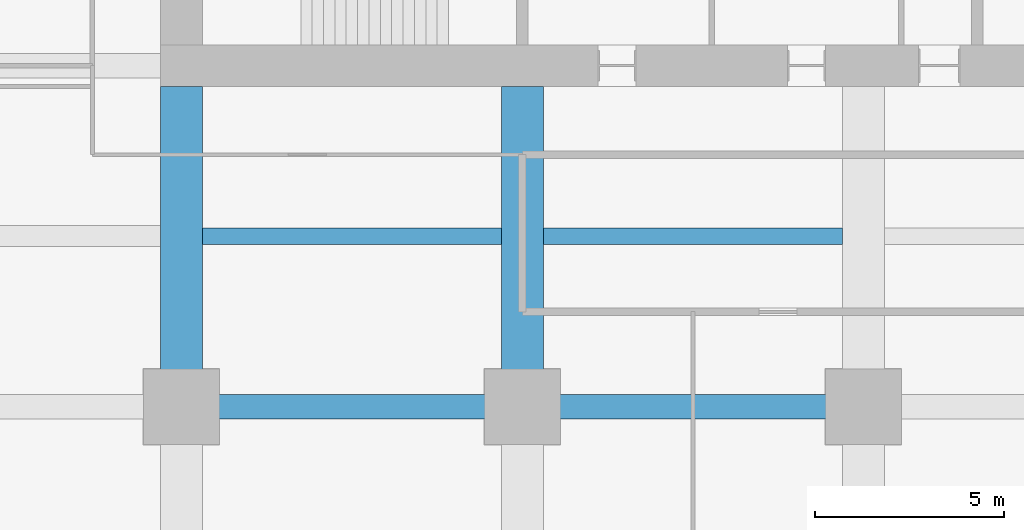
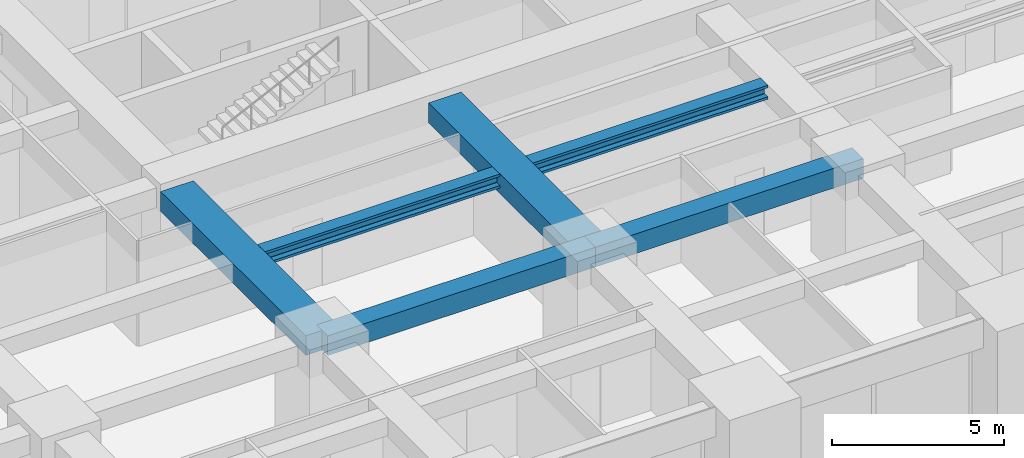
# One storey, part 8 of 41: 6 beams.
"""IFC4 building model written with IfcOpenShell, lengths in metres."""

from ifc_helpers import new_model, si_unit, direction, frame, origin, origin_2d, place, context, subcontext, project, spatial, rectangle, i_section, extrude, material, material_profile, profile_set, type_object, element, save


model = new_model("IFC4")

# Units and contexts
model_context = context("Model", 3, precision=1e-05, world=origin(), true_north=direction((0.0, 1.0)))
body_context = subcontext(model_context, "Body", "Model", "MODEL_VIEW")
ifc_project = project(units=[si_unit("LENGTHUNIT", "METRE"), si_unit("AREAUNIT", "SQUARE_METRE"), si_unit("VOLUMEUNIT", "CUBIC_METRE"), si_unit("PLANEANGLEUNIT", "RADIAN"), si_unit("MASSUNIT", "GRAM", prefix="KILO")], contexts=[model_context])

# Site, building, storey
site_placement = place(None, origin())
site = spatial("IfcSite", under=ifc_project, at=site_placement, CompositionType="ELEMENT")
building_placement = place(site_placement, origin())
building = spatial("IfcBuilding", under=site, at=building_placement, Name="Zorevar Civic Tower", CompositionType="ELEMENT")
storey_placement = place(building_placement, frame((0.0, 0.0, 105.0)))
storey = spatial("IfcBuildingStorey", under=building, at=storey_placement, Name="L25", CompositionType="ELEMENT", Elevation=105.0)

# Beams
ifc_material_1 = material(Name="Concrete C50/60", Category="concrete")
ifc_material_profile_1 = material_profile(ifc_material_1, rectangle(XDim=1.10009765625, YDim=0.699951171875, at=origin_2d()), Name="RC 1100x700")
ifc_profile_set_1 = profile_set([ifc_material_profile_1], Name="Concrete C50/60")
beam_type_1 = type_object("IfcBeamType", Name="Beam RC 1100x700", PredefinedType="BEAM", material=ifc_profile_set_1)
for number, where, z_axis, x_axis, name in (
    (1, (18.0, 9.0, 3.39990234375), (0.0, 1.0, 0.0), (-1.0, 0.0, 0.0), "Girder L26"),
    (2, (27.0, 9.0, 3.39990234375), (0.0, 1.0, 0.0), (-1.0, 0.0, 0.0), "Girder L26"),
):
    element("IfcBeam", number, at=place(storey_placement, frame(where, z_axis=z_axis, x_axis=x_axis)), inside=storey, type_object=beam_type_1, Name=name, PredefinedType="BEAM", context=body_context, shape_type="SweptSolid", body=[
        extrude(rectangle(XDim=1.10009765625, YDim=0.699951171875, at=origin_2d()), origin(), (0.0, 0.0, 1.0), 8.449951171875),
    ])
ifc_material_2 = material(Name="Concrete C50/60", Category="concrete")
ifc_material_profile_2 = material_profile(ifc_material_2, rectangle(XDim=0.64990234375, YDim=0.699951171875, at=origin_2d()), Name="RC 650x700")
ifc_profile_set_2 = profile_set([ifc_material_profile_2], Name="Concrete C50/60")
beam_type_2 = type_object("IfcBeamType", Name="Beam RC 650x700", PredefinedType="BEAM", material=ifc_profile_set_2)
for number, where, z_axis, x_axis, name in (
    (3, (18.0, 9.0, 3.39990234375), (1.0, 0.0, 0.0), (0.0, 1.0, 0.0), "Girder L26"),
    (4, (27.0, 9.0, 3.39990234375), (1.0, 0.0, 0.0), (0.0, 1.0, 0.0), "Girder L26"),
):
    element("IfcBeam", number, at=place(storey_placement, frame(where, z_axis=z_axis, x_axis=x_axis)), inside=storey, type_object=beam_type_2, Name=name, PredefinedType="BEAM", context=body_context, shape_type="SweptSolid", body=[
        extrude(rectangle(XDim=0.64990234375, YDim=0.699951171875, at=origin_2d()), origin(), (0.0, 0.0, 1.0), 9.0),
    ])
ifc_material_3 = material(Name="Steel S460M (HISTAR 460)", Category="steel")
ifc_material_profile_3 = material_profile(ifc_material_3, i_section(OverallWidth=0.431884765625, OverallDepth=0.498046875, WebThickness=0.0556640625, FlangeThickness=0.0888671875, FilletRadius=0.014892578125, at=origin_2d()), Name="HD 400x744")
ifc_profile_set_3 = profile_set([ifc_material_profile_3], Name="Steel S460M (HISTAR 460)")
beam_type_3 = type_object("IfcBeamType", Name="Core bay beam HD 400x744", PredefinedType="BEAM", material=ifc_profile_set_3)
for number, where, z_axis, x_axis, name in (
    (5, (18.550048828125, 13.5, 3.5009765625), (1.0, 0.0, 0.0), (0.0, 1.0, 0.0), "Secondary beam L26"),
    (6, (27.550048828125, 13.5, 3.5009765625), (1.0, 0.0, 0.0), (0.0, 1.0, 0.0), "Secondary beam L26"),
):
    element("IfcBeam", number, at=place(storey_placement, frame(where, z_axis=z_axis, x_axis=x_axis)), inside=storey, type_object=beam_type_3, Name=name, PredefinedType="BEAM", context=body_context, shape_type="SweptSolid", body=[
        extrude(i_section(OverallWidth=0.431884765625, OverallDepth=0.498046875, WebThickness=0.0556640625, FlangeThickness=0.0888671875, FilletRadius=0.014892578125, at=origin_2d()), origin(), (0.0, 0.0, 1.0), 7.89990234375),
    ])

save(model, "model.ifc")
